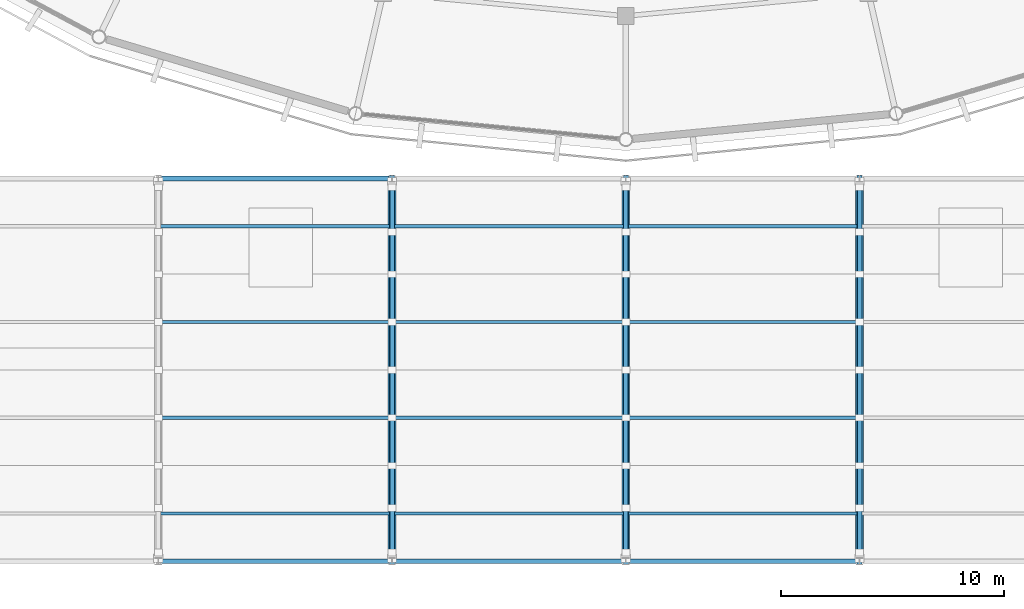
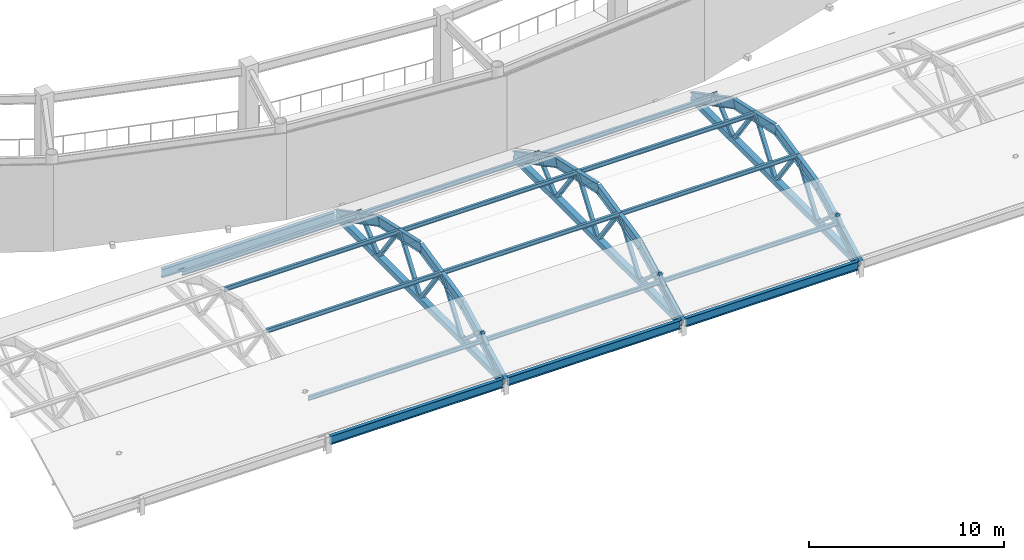
# One storey, part 18 of 70: 39 members, 16 beams.
"""IFC4 building model written with IfcOpenShell, lengths in metres."""

from ifc_helpers import new_model, si_unit, direction, frame, origin, origin_2d, place, context, subcontext, project, spatial, hollow_rectangle, i_section, extrude, material, material_profile, profile_set, type_object, element, save


model = new_model("IFC4")

# Units and contexts
model_context = context("Model", 3, precision=1e-05, world=origin(), true_north=direction((0.0, 1.0)))
body_context = subcontext(model_context, "Body", "Model", "MODEL_VIEW")
ifc_project = project(units=[si_unit("LENGTHUNIT", "METRE"), si_unit("AREAUNIT", "SQUARE_METRE"), si_unit("VOLUMEUNIT", "CUBIC_METRE"), si_unit("PLANEANGLEUNIT", "RADIAN"), si_unit("MASSUNIT", "GRAM", prefix="KILO")], contexts=[model_context])

# Site, building, storey
site_placement = place(None, origin())
site = spatial("IfcSite", under=ifc_project, at=site_placement, CompositionType="ELEMENT")
building_placement = place(site_placement, origin())
building = spatial("IfcBuilding", under=site, at=building_placement, Name="Cuetzalor Civic Arena", CompositionType="ELEMENT")
storey_placement = place(building_placement, frame((0.0, 0.0, 21.0)))
storey = spatial("IfcBuildingStorey", under=building, at=storey_placement, Name="L04", CompositionType="ELEMENT", Elevation=21.0)

# Members
ifc_material_1 = material(Name="Steel S355", Category="steel")
ifc_material_profile_1 = material_profile(ifc_material_1, hollow_rectangle(XDim=0.35009765625, YDim=0.35009765625, WallThickness=0.01611328125, at=origin_2d()), Name="RHS 350x350x16")
ifc_profile_set_1 = profile_set([ifc_material_profile_1], Name="Steel S355")
member_type_1 = type_object("IfcMemberType", Name="PrattTrussChord_RHS350", PredefinedType="CHORD", material=ifc_profile_set_1)
for number, where, z_axis, x_axis, name in (
    (1, (-10.5, -65.360107421875, 0.714111328125), (0.0, 1.0, 0.0), (-1.0, 0.0, 0.0), "Foyer Barrel Vault Tied-Arch Chord 03"),
    (2, (0.0, -65.360107421875, 0.714111328125), (0.0, 1.0, 0.0), (-1.0, 0.0, 0.0), "Foyer Barrel Vault Tied-Arch Chord 04"),
    (3, (10.5, -65.360107421875, 0.714111328125), (0.0, 1.0, 0.0), (-1.0, 0.0, 0.0), "Foyer Barrel Vault Tied-Arch Chord 05"),
):
    element("IfcMember", number, at=place(storey_placement, frame(where, z_axis=z_axis, x_axis=x_axis)), inside=storey, type_object=member_type_1, Name=name, PredefinedType="CHORD", context=body_context, shape_type="SweptSolid", body=[
        extrude(hollow_rectangle(XDim=0.35009765625, YDim=0.35009765625, WallThickness=0.01611328125, at=origin_2d()), origin(), (0.0, 0.0, 1.0), 16.920166015625),
    ])
ifc_material_2 = material(Name="Steel S355", Category="steel")
ifc_material_profile_2 = material_profile(ifc_material_2, hollow_rectangle(XDim=0.199951171875, YDim=0.199951171875, WallThickness=0.010009765625, at=origin_2d()), Name="RHS 200x200x10")
ifc_profile_set_2 = profile_set([ifc_material_profile_2], Name="Steel S355")
member_type_2 = type_object("IfcMemberType", Name="PrattTrussWeb_RHS200", PredefinedType="STRUT", material=ifc_profile_set_2)
member_1_placement = place(storey_placement, frame((-10.5, -65.10009765625, 0.714111328125), z_axis=(0.0, 0.766684820047, 0.642023665225), x_axis=(-1.0, 0.0, 0.0)))
element("IfcMember", 4, at=member_1_placement, inside=storey, type_object=member_type_2, Name="Foyer Tied-Arch Truss Web 03-1", PredefinedType="STRUT", context=body_context, shape_type="SweptSolid", body=[
    extrude(hollow_rectangle(XDim=0.199951171875, YDim=0.199951171875, WallThickness=0.010009765625, at=origin_2d()), origin(), (0.0, 0.0, 1.0), 2.608642578125),
])
member_2_placement = place(storey_placement, frame((-10.5, -63.10009765625, 2.388916015625), z_axis=(0.0, 0.75018936013, -0.661223051586), x_axis=(-1.0, 0.0, 0.0)))
element("IfcMember", 5, at=member_2_placement, inside=storey, type_object=member_type_2, Name="Foyer Tied-Arch Truss Web 03-2", PredefinedType="STRUT", context=body_context, shape_type="SweptSolid", body=[
    extrude(hollow_rectangle(XDim=0.199951171875, YDim=0.199951171875, WallThickness=0.010009765625, at=origin_2d()), origin(), (0.0, 0.0, 1.0), 2.532958984375),
])
member_3_placement = place(storey_placement, frame((-10.5, -61.199951171875, 0.714111328125), z_axis=(0.0, 0.585740669637, 0.810498530494), x_axis=(-1.0, 0.0, 0.0)))
element("IfcMember", 6, at=member_3_placement, inside=storey, type_object=member_type_2, Name="Foyer Tied-Arch Truss Web 03-3", PredefinedType="STRUT", context=body_context, shape_type="SweptSolid", body=[
    extrude(hollow_rectangle(XDim=0.199951171875, YDim=0.199951171875, WallThickness=0.010009765625, at=origin_2d()), origin(), (0.0, 0.0, 1.0), 3.67041015625),
])
member_4_placement = place(storey_placement, frame((-10.5, -59.050048828125, 3.68896484375), z_axis=(0.0, 0.585784362025, -0.810466952569), x_axis=(-1.0, 0.0, 0.0)))
element("IfcMember", 7, at=member_4_placement, inside=storey, type_object=member_type_2, Name="Foyer Tied-Arch Truss Web 03-4", PredefinedType="STRUT", context=body_context, shape_type="SweptSolid", body=[
    extrude(hollow_rectangle(XDim=0.199951171875, YDim=0.199951171875, WallThickness=0.010009765625, at=origin_2d()), origin(), (0.0, 0.0, 1.0), 3.670654296875),
])
for number, where, z_axis, x_axis, name in (
    (8, (-10.5, -56.89990234375, 0.714111328125), (0.0, 0.585740669637, 0.810498530494), (-1.0, 0.0, 0.0), "Foyer Tied-Arch Truss Web 03-5"),
    (9, (-10.5, -54.75, 3.68896484375), (0.0, 0.585740669637, -0.810498530494), (-1.0, 0.0, 0.0), "Foyer Tied-Arch Truss Web 03-6"),
):
    element("IfcMember", number, at=place(storey_placement, frame(where, z_axis=z_axis, x_axis=x_axis)), inside=storey, type_object=member_type_2, Name=name, PredefinedType="STRUT", context=body_context, shape_type="SweptSolid", body=[
        extrude(hollow_rectangle(XDim=0.199951171875, YDim=0.199951171875, WallThickness=0.010009765625, at=origin_2d()), origin(), (0.0, 0.0, 1.0), 3.67041015625),
    ])
member_5_placement = place(storey_placement, frame((-10.5, -52.60009765625, 0.714111328125), z_axis=(0.0, 0.75018936013, 0.661223051586), x_axis=(-1.0, 0.0, 0.0)))
element("IfcMember", 10, at=member_5_placement, inside=storey, type_object=member_type_2, Name="Foyer Tied-Arch Truss Web 03-7", PredefinedType="STRUT", context=body_context, shape_type="SweptSolid", body=[
    extrude(hollow_rectangle(XDim=0.199951171875, YDim=0.199951171875, WallThickness=0.010009765625, at=origin_2d()), origin(), (0.0, 0.0, 1.0), 2.532958984375),
])
for number, where, z_axis, x_axis, name in (
    (11, (-10.5, -50.699951171875, 2.388916015625), (0.0, 0.766684820047, -0.642023665225), (-1.0, 0.0, 0.0), "Foyer Tied-Arch Truss Web 03-8"),
    (12, (0.0, -65.10009765625, 0.714111328125), (0.0, 0.766684820047, 0.642023665225), (-1.0, 0.0, 0.0), "Foyer Tied-Arch Truss Web 04-1"),
):
    element("IfcMember", number, at=place(storey_placement, frame(where, z_axis=z_axis, x_axis=x_axis)), inside=storey, type_object=member_type_2, Name=name, PredefinedType="STRUT", context=body_context, shape_type="SweptSolid", body=[
        extrude(hollow_rectangle(XDim=0.199951171875, YDim=0.199951171875, WallThickness=0.010009765625, at=origin_2d()), origin(), (0.0, 0.0, 1.0), 2.608642578125),
    ])
member_6_placement = place(storey_placement, frame((0.0, -63.10009765625, 2.388916015625), z_axis=(0.0, 0.75018936013, -0.661223051586), x_axis=(-1.0, 0.0, 0.0)))
element("IfcMember", 13, at=member_6_placement, inside=storey, type_object=member_type_2, Name="Foyer Tied-Arch Truss Web 04-2", PredefinedType="STRUT", context=body_context, shape_type="SweptSolid", body=[
    extrude(hollow_rectangle(XDim=0.199951171875, YDim=0.199951171875, WallThickness=0.010009765625, at=origin_2d()), origin(), (0.0, 0.0, 1.0), 2.532958984375),
])
member_7_placement = place(storey_placement, frame((0.0, -61.199951171875, 0.714111328125), z_axis=(0.0, 0.585740669637, 0.810498530494), x_axis=(-1.0, 0.0, 0.0)))
element("IfcMember", 14, at=member_7_placement, inside=storey, type_object=member_type_2, Name="Foyer Tied-Arch Truss Web 04-3", PredefinedType="STRUT", context=body_context, shape_type="SweptSolid", body=[
    extrude(hollow_rectangle(XDim=0.199951171875, YDim=0.199951171875, WallThickness=0.010009765625, at=origin_2d()), origin(), (0.0, 0.0, 1.0), 3.67041015625),
])
member_8_placement = place(storey_placement, frame((0.0, -59.050048828125, 3.68896484375), z_axis=(0.0, 0.585784362025, -0.810466952569), x_axis=(-1.0, 0.0, 0.0)))
element("IfcMember", 15, at=member_8_placement, inside=storey, type_object=member_type_2, Name="Foyer Tied-Arch Truss Web 04-4", PredefinedType="STRUT", context=body_context, shape_type="SweptSolid", body=[
    extrude(hollow_rectangle(XDim=0.199951171875, YDim=0.199951171875, WallThickness=0.010009765625, at=origin_2d()), origin(), (0.0, 0.0, 1.0), 3.670654296875),
])
for number, where, z_axis, x_axis, name in (
    (16, (0.0, -56.89990234375, 0.714111328125), (0.0, 0.585740669637, 0.810498530494), (-1.0, 0.0, 0.0), "Foyer Tied-Arch Truss Web 04-5"),
    (17, (0.0, -54.75, 3.68896484375), (0.0, 0.585740669637, -0.810498530494), (-1.0, 0.0, 0.0), "Foyer Tied-Arch Truss Web 04-6"),
):
    element("IfcMember", number, at=place(storey_placement, frame(where, z_axis=z_axis, x_axis=x_axis)), inside=storey, type_object=member_type_2, Name=name, PredefinedType="STRUT", context=body_context, shape_type="SweptSolid", body=[
        extrude(hollow_rectangle(XDim=0.199951171875, YDim=0.199951171875, WallThickness=0.010009765625, at=origin_2d()), origin(), (0.0, 0.0, 1.0), 3.67041015625),
    ])
member_9_placement = place(storey_placement, frame((0.0, -52.60009765625, 0.714111328125), z_axis=(0.0, 0.75018936013, 0.661223051586), x_axis=(-1.0, 0.0, 0.0)))
element("IfcMember", 18, at=member_9_placement, inside=storey, type_object=member_type_2, Name="Foyer Tied-Arch Truss Web 04-7", PredefinedType="STRUT", context=body_context, shape_type="SweptSolid", body=[
    extrude(hollow_rectangle(XDim=0.199951171875, YDim=0.199951171875, WallThickness=0.010009765625, at=origin_2d()), origin(), (0.0, 0.0, 1.0), 2.532958984375),
])
for number, where, z_axis, x_axis, name in (
    (19, (0.0, -50.699951171875, 2.388916015625), (0.0, 0.766684820047, -0.642023665225), (-1.0, 0.0, 0.0), "Foyer Tied-Arch Truss Web 04-8"),
    (20, (10.5, -65.10009765625, 0.714111328125), (0.0, 0.766684820047, 0.642023665225), (-1.0, 0.0, 0.0), "Foyer Tied-Arch Truss Web 05-1"),
):
    element("IfcMember", number, at=place(storey_placement, frame(where, z_axis=z_axis, x_axis=x_axis)), inside=storey, type_object=member_type_2, Name=name, PredefinedType="STRUT", context=body_context, shape_type="SweptSolid", body=[
        extrude(hollow_rectangle(XDim=0.199951171875, YDim=0.199951171875, WallThickness=0.010009765625, at=origin_2d()), origin(), (0.0, 0.0, 1.0), 2.608642578125),
    ])
member_10_placement = place(storey_placement, frame((10.5, -63.10009765625, 2.388916015625), z_axis=(0.0, 0.75018936013, -0.661223051586), x_axis=(-1.0, 0.0, 0.0)))
element("IfcMember", 21, at=member_10_placement, inside=storey, type_object=member_type_2, Name="Foyer Tied-Arch Truss Web 05-2", PredefinedType="STRUT", context=body_context, shape_type="SweptSolid", body=[
    extrude(hollow_rectangle(XDim=0.199951171875, YDim=0.199951171875, WallThickness=0.010009765625, at=origin_2d()), origin(), (0.0, 0.0, 1.0), 2.532958984375),
])
member_11_placement = place(storey_placement, frame((10.5, -61.199951171875, 0.714111328125), z_axis=(0.0, 0.585740669637, 0.810498530494), x_axis=(-1.0, 0.0, 0.0)))
element("IfcMember", 22, at=member_11_placement, inside=storey, type_object=member_type_2, Name="Foyer Tied-Arch Truss Web 05-3", PredefinedType="STRUT", context=body_context, shape_type="SweptSolid", body=[
    extrude(hollow_rectangle(XDim=0.199951171875, YDim=0.199951171875, WallThickness=0.010009765625, at=origin_2d()), origin(), (0.0, 0.0, 1.0), 3.67041015625),
])
member_12_placement = place(storey_placement, frame((10.5, -59.050048828125, 3.68896484375), z_axis=(0.0, 0.585784362025, -0.810466952569), x_axis=(-1.0, 0.0, 0.0)))
element("IfcMember", 23, at=member_12_placement, inside=storey, type_object=member_type_2, Name="Foyer Tied-Arch Truss Web 05-4", PredefinedType="STRUT", context=body_context, shape_type="SweptSolid", body=[
    extrude(hollow_rectangle(XDim=0.199951171875, YDim=0.199951171875, WallThickness=0.010009765625, at=origin_2d()), origin(), (0.0, 0.0, 1.0), 3.670654296875),
])
for number, where, z_axis, x_axis, name in (
    (24, (10.5, -56.89990234375, 0.714111328125), (0.0, 0.585740669637, 0.810498530494), (-1.0, 0.0, 0.0), "Foyer Tied-Arch Truss Web 05-5"),
    (25, (10.5, -54.75, 3.68896484375), (0.0, 0.585740669637, -0.810498530494), (-1.0, 0.0, 0.0), "Foyer Tied-Arch Truss Web 05-6"),
):
    element("IfcMember", number, at=place(storey_placement, frame(where, z_axis=z_axis, x_axis=x_axis)), inside=storey, type_object=member_type_2, Name=name, PredefinedType="STRUT", context=body_context, shape_type="SweptSolid", body=[
        extrude(hollow_rectangle(XDim=0.199951171875, YDim=0.199951171875, WallThickness=0.010009765625, at=origin_2d()), origin(), (0.0, 0.0, 1.0), 3.67041015625),
    ])
member_13_placement = place(storey_placement, frame((10.5, -52.60009765625, 0.714111328125), z_axis=(0.0, 0.75018936013, 0.661223051586), x_axis=(-1.0, 0.0, 0.0)))
element("IfcMember", 26, at=member_13_placement, inside=storey, type_object=member_type_2, Name="Foyer Tied-Arch Truss Web 05-7", PredefinedType="STRUT", context=body_context, shape_type="SweptSolid", body=[
    extrude(hollow_rectangle(XDim=0.199951171875, YDim=0.199951171875, WallThickness=0.010009765625, at=origin_2d()), origin(), (0.0, 0.0, 1.0), 2.532958984375),
])
member_14_placement = place(storey_placement, frame((10.5, -50.699951171875, 2.388916015625), z_axis=(0.0, 0.766684820047, -0.642023665225), x_axis=(-1.0, 0.0, 0.0)))
element("IfcMember", 27, at=member_14_placement, inside=storey, type_object=member_type_2, Name="Foyer Tied-Arch Truss Web 05-8", PredefinedType="STRUT", context=body_context, shape_type="SweptSolid", body=[
    extrude(hollow_rectangle(XDim=0.199951171875, YDim=0.199951171875, WallThickness=0.010009765625, at=origin_2d()), origin(), (0.0, 0.0, 1.0), 2.608642578125),
])
ifc_material_3 = material(Name="Steel S355", Category="steel")
ifc_material_profile_3 = material_profile(ifc_material_3, i_section(OverallWidth=0.14697265625, OverallDepth=0.261962890625, WebThickness=0.00634765625, FlangeThickness=0.01123046875, at=origin_2d()), Name="W250x39")
ifc_profile_set_3 = profile_set([ifc_material_profile_3], Name="Steel S355")
member_type_3 = type_object("IfcMemberType", Name="RoofDeckPurlin_W250", PredefinedType="PURLIN", material=ifc_profile_set_3)
for number, where, z_axis, x_axis, name in (
    (28, (-20.89990234375, -63.35009765625, 2.013916015625), (1.0, 0.0, 0.0), (0.0, 1.0, 0.0), "Foyer Vault Roof Purlin 1-2"),
    (29, (-10.39990234375, -63.35009765625, 2.013916015625), (1.0, 0.0, 0.0), (0.0, 1.0, 0.0), "Foyer Vault Roof Purlin 1-3"),
    (30, (0.10009765625, -63.35009765625, 2.013916015625), (1.0, 0.0, 0.0), (0.0, 1.0, 0.0), "Foyer Vault Roof Purlin 1-4"),
    (31, (-20.89990234375, -59.050048828125, 3.614013671875), (1.0, 0.0, 0.0), (0.0, 1.0, 0.0), "Foyer Vault Roof Purlin 2-2"),
    (32, (-10.39990234375, -59.050048828125, 3.614013671875), (1.0, 0.0, 0.0), (0.0, 1.0, 0.0), "Foyer Vault Roof Purlin 2-3"),
    (33, (0.10009765625, -59.050048828125, 3.614013671875), (1.0, 0.0, 0.0), (0.0, 1.0, 0.0), "Foyer Vault Roof Purlin 2-4"),
    (34, (-20.89990234375, -54.75, 3.614013671875), (1.0, 0.0, 0.0), (0.0, 1.0, 0.0), "Foyer Vault Roof Purlin 3-2"),
    (35, (-10.39990234375, -54.75, 3.614013671875), (1.0, 0.0, 0.0), (0.0, 1.0, 0.0), "Foyer Vault Roof Purlin 3-3"),
    (36, (0.10009765625, -54.75, 3.614013671875), (1.0, 0.0, 0.0), (0.0, 1.0, 0.0), "Foyer Vault Roof Purlin 3-4"),
    (37, (-20.89990234375, -50.449951171875, 2.013916015625), (1.0, 0.0, 0.0), (0.0, 1.0, 0.0), "Foyer Vault Roof Purlin 4-2"),
    (38, (-10.39990234375, -50.449951171875, 2.013916015625), (1.0, 0.0, 0.0), (0.0, 1.0, 0.0), "Foyer Vault Roof Purlin 4-3"),
    (39, (0.10009765625, -50.449951171875, 2.013916015625), (1.0, 0.0, 0.0), (0.0, 1.0, 0.0), "Foyer Vault Roof Purlin 4-4"),
):
    element("IfcMember", number, at=place(storey_placement, frame(where, z_axis=z_axis, x_axis=x_axis)), inside=storey, type_object=member_type_3, Name=name, PredefinedType="PURLIN", context=body_context, shape_type="SweptSolid", body=[
        extrude(i_section(OverallWidth=0.14697265625, OverallDepth=0.261962890625, WebThickness=0.00634765625, FlangeThickness=0.01123046875, at=origin_2d()), origin(), (0.0, 0.0, 1.0), 10.2998046875),
    ])

# Beams
ifc_material_4 = material(Name="Steel S355", Category="steel")
ifc_material_profile_4 = material_profile(ifc_material_4, i_section(OverallWidth=0.208984375, OverallDepth=0.532958984375, WebThickness=0.01025390625, FlangeThickness=0.015625, at=origin_2d()), Name="W530x92")
ifc_profile_set_4 = profile_set([ifc_material_profile_4], Name="Steel S355")
beam_type_1 = type_object("IfcBeamType", Name="SteelCollarGirder_W530", PredefinedType="BEAM", material=ifc_profile_set_4)
for number, where, z_axis, x_axis, name in (
    (40, (-20.860107421875, -65.5, 0.714111328125), (1.0, 0.0, 0.0), (0.0, 1.0, 0.0), "Foyer Vault Eaves Ring Beam S-02"),
    (41, (-20.860107421875, -48.300048828125, 0.714111328125), (1.0, 0.0, 0.0), (0.0, 1.0, 0.0), "Foyer Vault Eaves Ring Beam N-02"),
    (42, (-10.360107421875, -65.5, 0.714111328125), (1.0, 0.0, 0.0), (0.0, 1.0, 0.0), "Foyer Vault Eaves Ring Beam S-03"),
    (43, (0.139892578125, -65.5, 0.714111328125), (1.0, 0.0, 0.0), (0.0, 1.0, 0.0), "Foyer Vault Eaves Ring Beam S-04"),
):
    element("IfcBeam", number, at=place(storey_placement, frame(where, z_axis=z_axis, x_axis=x_axis)), inside=storey, type_object=beam_type_1, Name=name, PredefinedType="BEAM", context=body_context, shape_type="SweptSolid", body=[
        extrude(i_section(OverallWidth=0.208984375, OverallDepth=0.532958984375, WebThickness=0.01025390625, FlangeThickness=0.015625, at=origin_2d()), origin(), (0.0, 0.0, 1.0), 10.22021484375),
    ])
ifc_material_5 = material(Name="Steel S355", Category="steel")
ifc_material_profile_5 = material_profile(ifc_material_5, i_section(OverallWidth=0.22802734375, OverallDepth=0.60791015625, WebThickness=0.01123046875, FlangeThickness=0.017333984375, at=origin_2d()), Name="W610x113")
ifc_profile_set_5 = profile_set([ifc_material_profile_5], Name="Steel S355")
beam_type_2 = type_object("IfcBeamType", Name="VaultArchRibBeam_W610", PredefinedType="USERDEFINED", material=ifc_profile_set_5)
beam_1_placement = place(storey_placement, frame((-10.5, -65.5, 0.714111328125), z_axis=(0.0, 0.88603526869, 0.463617841154), x_axis=(-1.0, 0.0, 0.0)))
element("IfcBeam", 44, at=beam_1_placement, inside=storey, type_object=beam_type_2, Name="Foyer Barrel Vault Arch Rib 03-1", ObjectType="VAULT RIB", PredefinedType="USERDEFINED", context=body_context, shape_type="SweptSolid", body=[
    extrude(i_section(OverallWidth=0.22802734375, OverallDepth=0.60791015625, WebThickness=0.01123046875, FlangeThickness=0.017333984375, at=origin_2d()), origin(), (0.0, 0.0, 1.0), 4.85302734375),
])
beam_2_placement = place(storey_placement, frame((-10.5, -61.199951171875, 2.964111328125), z_axis=(0.0, 0.976456327027, 0.215715185855), x_axis=(-1.0, 0.0, 0.0)))
element("IfcBeam", 45, at=beam_2_placement, inside=storey, type_object=beam_type_2, Name="Foyer Barrel Vault Arch Rib 03-2", ObjectType="VAULT RIB", PredefinedType="USERDEFINED", context=body_context, shape_type="SweptSolid", body=[
    extrude(i_section(OverallWidth=0.22802734375, OverallDepth=0.60791015625, WebThickness=0.01123046875, FlangeThickness=0.017333984375, at=origin_2d()), origin(), (0.0, 0.0, 1.0), 4.40380859375),
])
beam_3_placement = place(storey_placement, frame((-10.5, -56.89990234375, 3.9140625), z_axis=(0.0, 0.976453747048, -0.215726864057), x_axis=(-1.0, 0.0, 0.0)))
element("IfcBeam", 46, at=beam_3_placement, inside=storey, type_object=beam_type_2, Name="Foyer Barrel Vault Arch Rib 03-3", ObjectType="VAULT RIB", PredefinedType="USERDEFINED", context=body_context, shape_type="SweptSolid", body=[
    extrude(i_section(OverallWidth=0.22802734375, OverallDepth=0.60791015625, WebThickness=0.01123046875, FlangeThickness=0.017333984375, at=origin_2d()), origin(), (0.0, 0.0, 1.0), 4.403564453125),
])
for number, where, z_axis, x_axis, name in (
    (47, (-10.5, -52.60009765625, 2.964111328125), (0.0, 0.88603526869, -0.463617841154), (-1.0, 0.0, 0.0), "Foyer Barrel Vault Arch Rib 03-4"),
    (48, (0.0, -65.5, 0.714111328125), (0.0, 0.88603526869, 0.463617841154), (-1.0, 0.0, 0.0), "Foyer Barrel Vault Arch Rib 04-1"),
):
    element("IfcBeam", number, at=place(storey_placement, frame(where, z_axis=z_axis, x_axis=x_axis)), inside=storey, type_object=beam_type_2, Name=name, ObjectType="VAULT RIB", PredefinedType="USERDEFINED", context=body_context, shape_type="SweptSolid", body=[
        extrude(i_section(OverallWidth=0.22802734375, OverallDepth=0.60791015625, WebThickness=0.01123046875, FlangeThickness=0.017333984375, at=origin_2d()), origin(), (0.0, 0.0, 1.0), 4.85302734375),
    ])
beam_4_placement = place(storey_placement, frame((0.0, -61.199951171875, 2.964111328125), z_axis=(0.0, 0.976456327027, 0.215715185855), x_axis=(-1.0, 0.0, 0.0)))
element("IfcBeam", 49, at=beam_4_placement, inside=storey, type_object=beam_type_2, Name="Foyer Barrel Vault Arch Rib 04-2", ObjectType="VAULT RIB", PredefinedType="USERDEFINED", context=body_context, shape_type="SweptSolid", body=[
    extrude(i_section(OverallWidth=0.22802734375, OverallDepth=0.60791015625, WebThickness=0.01123046875, FlangeThickness=0.017333984375, at=origin_2d()), origin(), (0.0, 0.0, 1.0), 4.40380859375),
])
beam_5_placement = place(storey_placement, frame((0.0, -56.89990234375, 3.9140625), z_axis=(0.0, 0.976453747048, -0.215726864057), x_axis=(-1.0, 0.0, 0.0)))
element("IfcBeam", 50, at=beam_5_placement, inside=storey, type_object=beam_type_2, Name="Foyer Barrel Vault Arch Rib 04-3", ObjectType="VAULT RIB", PredefinedType="USERDEFINED", context=body_context, shape_type="SweptSolid", body=[
    extrude(i_section(OverallWidth=0.22802734375, OverallDepth=0.60791015625, WebThickness=0.01123046875, FlangeThickness=0.017333984375, at=origin_2d()), origin(), (0.0, 0.0, 1.0), 4.403564453125),
])
for number, where, z_axis, x_axis, name in (
    (51, (0.0, -52.60009765625, 2.964111328125), (0.0, 0.88603526869, -0.463617841154), (-1.0, 0.0, 0.0), "Foyer Barrel Vault Arch Rib 04-4"),
    (52, (10.5, -65.5, 0.714111328125), (0.0, 0.88603526869, 0.463617841154), (-1.0, 0.0, 0.0), "Foyer Barrel Vault Arch Rib 05-1"),
):
    element("IfcBeam", number, at=place(storey_placement, frame(where, z_axis=z_axis, x_axis=x_axis)), inside=storey, type_object=beam_type_2, Name=name, ObjectType="VAULT RIB", PredefinedType="USERDEFINED", context=body_context, shape_type="SweptSolid", body=[
        extrude(i_section(OverallWidth=0.22802734375, OverallDepth=0.60791015625, WebThickness=0.01123046875, FlangeThickness=0.017333984375, at=origin_2d()), origin(), (0.0, 0.0, 1.0), 4.85302734375),
    ])
beam_6_placement = place(storey_placement, frame((10.5, -61.199951171875, 2.964111328125), z_axis=(0.0, 0.976456327027, 0.215715185855), x_axis=(-1.0, 0.0, 0.0)))
element("IfcBeam", 53, at=beam_6_placement, inside=storey, type_object=beam_type_2, Name="Foyer Barrel Vault Arch Rib 05-2", ObjectType="VAULT RIB", PredefinedType="USERDEFINED", context=body_context, shape_type="SweptSolid", body=[
    extrude(i_section(OverallWidth=0.22802734375, OverallDepth=0.60791015625, WebThickness=0.01123046875, FlangeThickness=0.017333984375, at=origin_2d()), origin(), (0.0, 0.0, 1.0), 4.40380859375),
])
beam_7_placement = place(storey_placement, frame((10.5, -56.89990234375, 3.9140625), z_axis=(0.0, 0.976453747048, -0.215726864057), x_axis=(-1.0, 0.0, 0.0)))
element("IfcBeam", 54, at=beam_7_placement, inside=storey, type_object=beam_type_2, Name="Foyer Barrel Vault Arch Rib 05-3", ObjectType="VAULT RIB", PredefinedType="USERDEFINED", context=body_context, shape_type="SweptSolid", body=[
    extrude(i_section(OverallWidth=0.22802734375, OverallDepth=0.60791015625, WebThickness=0.01123046875, FlangeThickness=0.017333984375, at=origin_2d()), origin(), (0.0, 0.0, 1.0), 4.403564453125),
])
beam_8_placement = place(storey_placement, frame((10.5, -52.60009765625, 2.964111328125), z_axis=(0.0, 0.88603526869, -0.463617841154), x_axis=(-1.0, 0.0, 0.0)))
element("IfcBeam", 55, at=beam_8_placement, inside=storey, type_object=beam_type_2, Name="Foyer Barrel Vault Arch Rib 05-4", ObjectType="VAULT RIB", PredefinedType="USERDEFINED", context=body_context, shape_type="SweptSolid", body=[
    extrude(i_section(OverallWidth=0.22802734375, OverallDepth=0.60791015625, WebThickness=0.01123046875, FlangeThickness=0.017333984375, at=origin_2d()), origin(), (0.0, 0.0, 1.0), 4.85302734375),
])

save(model, "model.ifc")
